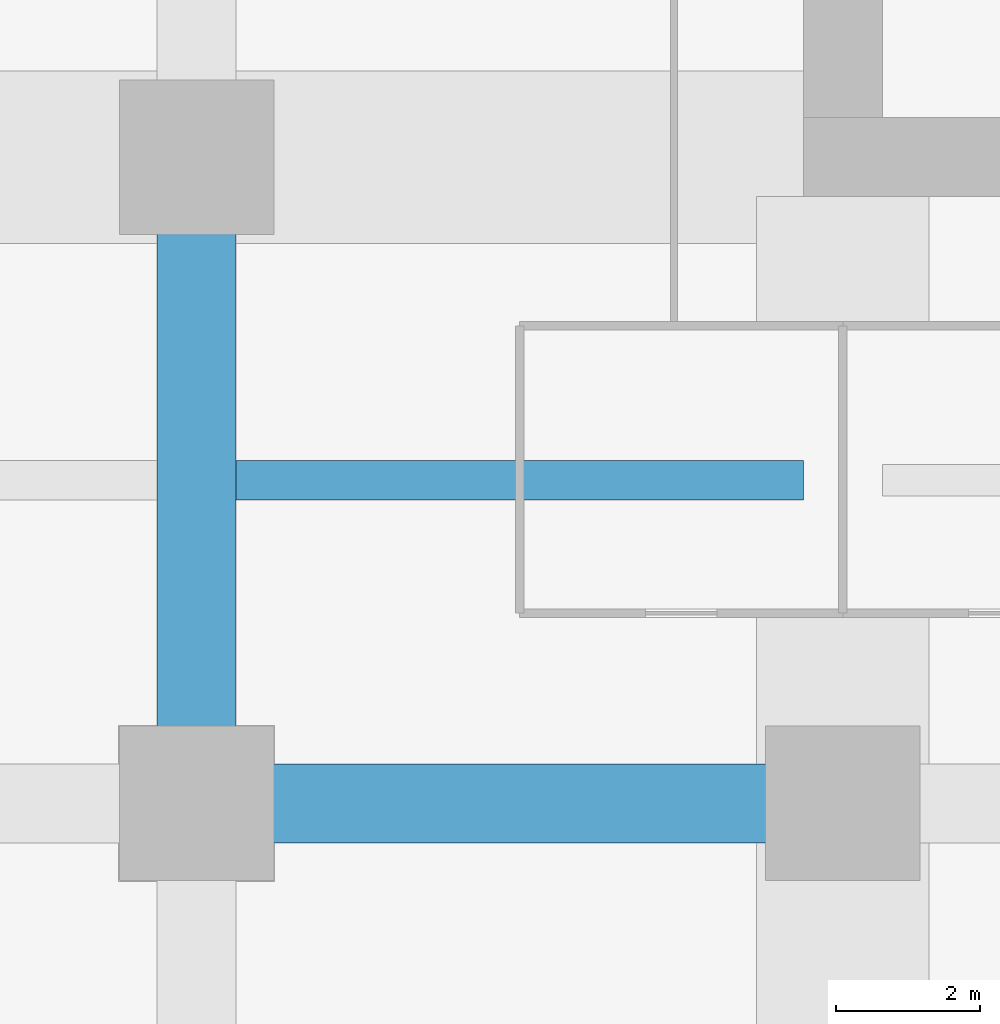
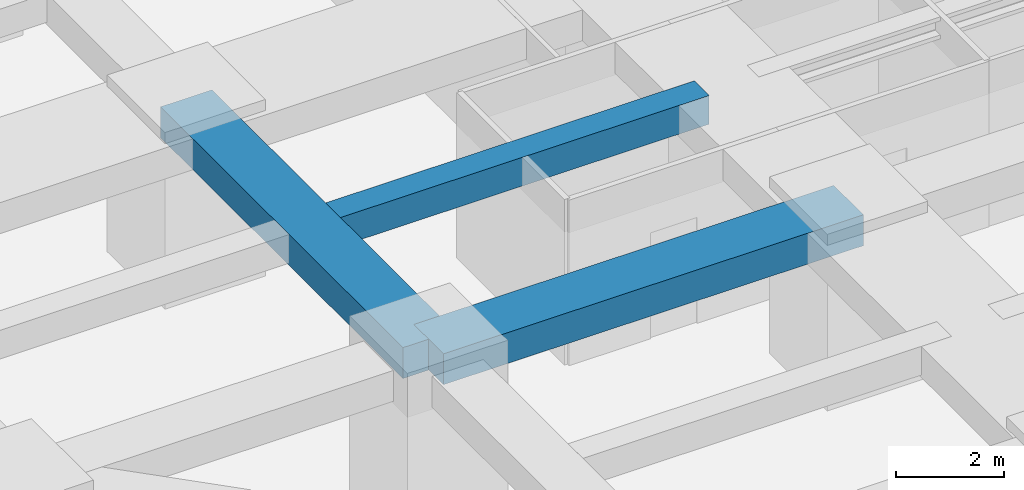
# One storey, part 5 of 43: 3 beams.
"""IFC4 building model written with IfcOpenShell, lengths in metres."""

from ifc_helpers import new_model, si_unit, direction, frame, origin, origin_2d, place, context, subcontext, project, spatial, rectangle, extrude, material, material_profile, profile_set, type_object, element, save


model = new_model("IFC4")

# Units and contexts
model_context = context("Model", 3, precision=1e-05, world=origin(), true_north=direction((0.0, 1.0)))
body_context = subcontext(model_context, "Body", "Model", "MODEL_VIEW")
ifc_project = project(units=[si_unit("LENGTHUNIT", "METRE"), si_unit("AREAUNIT", "SQUARE_METRE"), si_unit("VOLUMEUNIT", "CUBIC_METRE"), si_unit("PLANEANGLEUNIT", "RADIAN"), si_unit("MASSUNIT", "GRAM", prefix="KILO")], contexts=[model_context])

# Site, building, storey
site_placement = place(None, origin())
site = spatial("IfcSite", under=ifc_project, at=site_placement, CompositionType="ELEMENT")
building_placement = place(site_placement, origin())
building = spatial("IfcBuilding", under=site, at=building_placement, Name="Zorevar Civic Tower", CompositionType="ELEMENT")
storey_placement = place(building_placement, frame((0.0, 0.0, 67.800048828125)))
storey = spatial("IfcBuildingStorey", under=building, at=storey_placement, Name="L16", CompositionType="ELEMENT", Elevation=67.800048828125)

# Beams
ifc_material_1 = material(Name="Concrete C50/60", Category="concrete")
ifc_material_profile_1 = material_profile(ifc_material_1, rectangle(XDim=1.10009765625, YDim=0.699951171875, at=origin_2d()), Name="RC 1100x700")
ifc_profile_set_1 = profile_set([ifc_material_profile_1], Name="Concrete C50/60")
beam_type_1 = type_object("IfcBeamType", Name="Beam RC 1100x700", PredefinedType="BEAM", material=ifc_profile_set_1)
for number, where, z_axis, x_axis, name in (
    (1, (9.0, 9.0, 3.39990234375), (1.0, 0.0, 0.0), (0.0, 1.0, 0.0), "Girder L17"),
    (2, (9.0, 9.0, 3.39990234375), (0.0, 1.0, 0.0), (-1.0, 0.0, 0.0), "Girder L17"),
):
    element("IfcBeam", number, at=place(storey_placement, frame(where, z_axis=z_axis, x_axis=x_axis)), inside=storey, type_object=beam_type_1, Name=name, PredefinedType="BEAM", context=body_context, shape_type="SweptSolid", body=[
        extrude(rectangle(XDim=1.10009765625, YDim=0.699951171875, at=origin_2d()), origin(), (0.0, 0.0, 1.0), 9.0),
    ])
ifc_material_2 = material(Name="Concrete C50/60", Category="concrete")
ifc_material_profile_2 = material_profile(ifc_material_2, rectangle(XDim=0.550048828125, YDim=0.64990234375, at=origin_2d()), Name="RC 550x650")
ifc_profile_set_2 = profile_set([ifc_material_profile_2], Name="Concrete C50/60")
beam_type_2 = type_object("IfcBeamType", Name="Beam RC 550x650", PredefinedType="BEAM", material=ifc_profile_set_2)
beam_placement = place(storey_placement, frame((9.550048828125, 13.5, 3.425048828125), z_axis=(1.0, 0.0, 0.0), x_axis=(0.0, 1.0, 0.0)))
element("IfcBeam", 3, at=beam_placement, inside=storey, type_object=beam_type_2, Name="Secondary beam L17", PredefinedType="BEAM", context=body_context, shape_type="SweptSolid", body=[
    extrude(rectangle(XDim=0.550048828125, YDim=0.64990234375, at=origin_2d()), origin(), (0.0, 0.0, 1.0), 7.89990234375),
])

save(model, "model.ifc")
